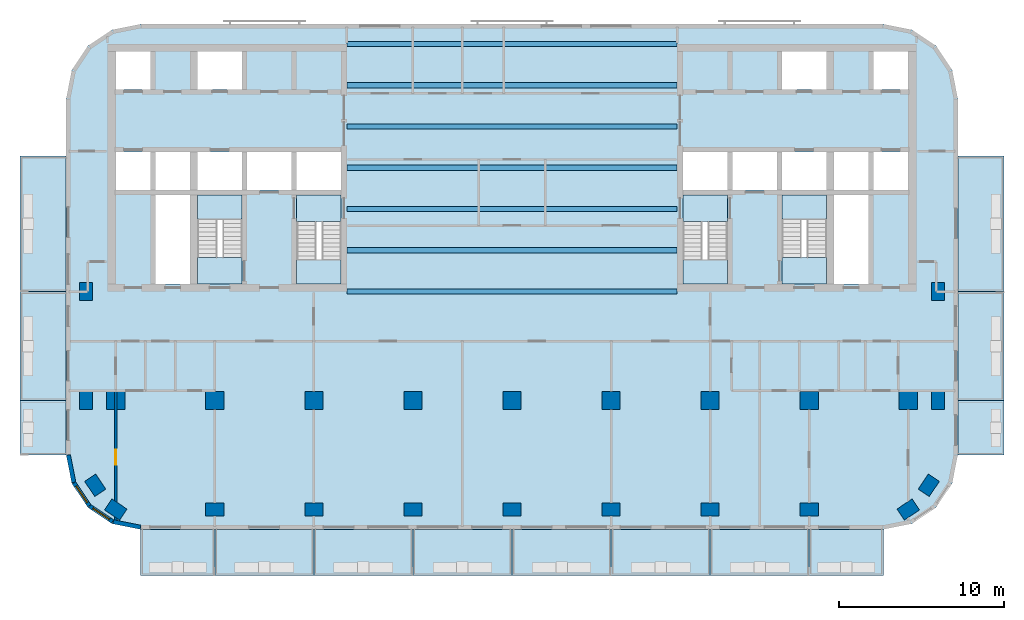
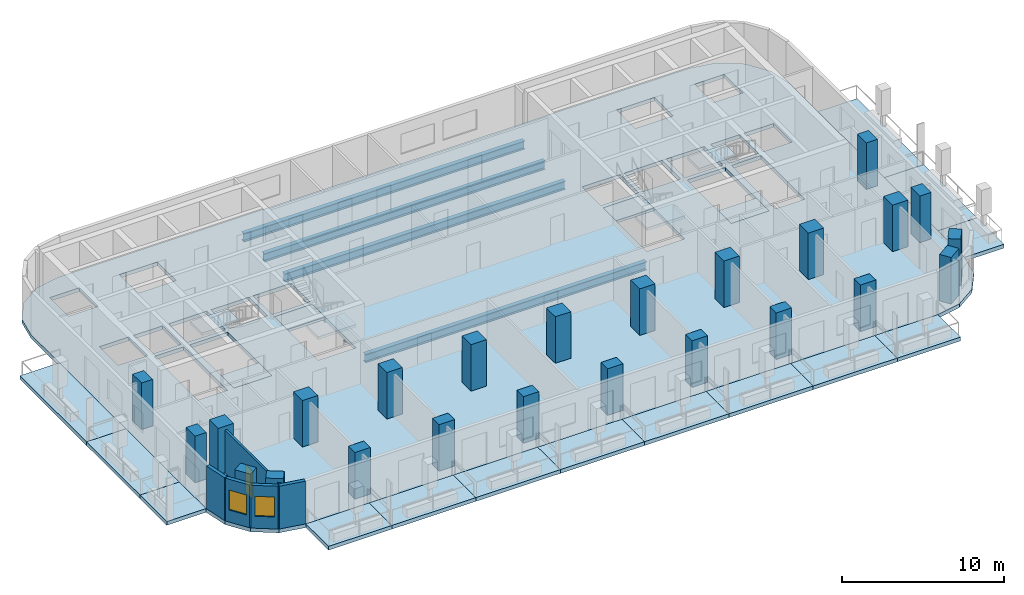
# One storey, part 1 of 11: 24 columns, 23 slabs, 7 beams, 5 walls, 2 windows, 1 door, 3 openings, 4 elements without a shape of their own.
"""IFC4 building model written with IfcOpenShell, lengths in metres."""

from ifc_helpers import new_model, si_unit, direction, frame, frame_2d, origin, origin_2d, place, context, subcontext, project, spatial, polyline, rectangle, i_section, outline, extrude, material, layer, layer_set, material_profile, profile_set, type_object, element, fill, aggregate, save


model = new_model("IFC4")

# Units and contexts
model_context = context("Model", 3, precision=1e-05, world=origin(), true_north=direction((0.0, 1.0)))
body_context = subcontext(model_context, "Body", "Model", "MODEL_VIEW")
ifc_project = project(units=[si_unit("LENGTHUNIT", "METRE"), si_unit("AREAUNIT", "SQUARE_METRE"), si_unit("VOLUMEUNIT", "CUBIC_METRE"), si_unit("PLANEANGLEUNIT", "RADIAN"), si_unit("MASSUNIT", "GRAM", prefix="KILO")], contexts=[model_context])

# Site, building, storey
site_placement = place(None, origin())
site = spatial("IfcSite", under=ifc_project, at=site_placement, CompositionType="ELEMENT")
building_placement = place(site_placement, origin())
building = spatial("IfcBuilding", under=site, at=building_placement, Name="Torana Hotel and Residences", CompositionType="ELEMENT")
storey_placement = place(building_placement, frame((0.0, 0.0, 229.10009765625)))
storey = spatial("IfcBuildingStorey", under=building, at=storey_placement, Name="L60", CompositionType="ELEMENT", Elevation=229.10009765625)

# Columns
ifc_material_1 = material(Name="Concrete C60/75", Category="concrete")
ifc_material_profile_1 = material_profile(ifc_material_1, rectangle(XDim=1.10009765625, YDim=1.10009765625, at=origin_2d()), Name="RC 1100x1100")
ifc_profile_set_1 = profile_set([ifc_material_profile_1], Name="Concrete C60/75")
column_type_1 = type_object("IfcColumnType", Name="COLUMN RC 1100x1100 C60/75", PredefinedType="COLUMN", material=ifc_profile_set_1)
for number, where, z_axis, x_axis, name in (
    (1, (-24.0, -21.60009765625, 0.0), (0.0, 0.0, 1.0), (1.0, 0.0, 0.0), "Column L60"),
    (2, (-18.0, -21.60009765625, 0.0), (0.0, 0.0, 1.0), (1.0, 0.0, 0.0), "Column L60"),
    (3, (-12.0, -21.60009765625, 0.0), (0.0, 0.0, 1.0), (1.0, 0.0, 0.0), "Column L60"),
    (4, (-6.0, -21.60009765625, 0.0), (0.0, 0.0, 1.0), (1.0, 0.0, 0.0), "Column L60"),
    (5, (0.0, -21.60009765625, 0.0), (0.0, 0.0, 1.0), (1.0, 0.0, 0.0), "Column L60"),
    (6, (6.0, -21.60009765625, 0.0), (0.0, 0.0, 1.0), (1.0, 0.0, 0.0), "Column L60"),
    (7, (12.0, -21.60009765625, 0.0), (0.0, 0.0, 1.0), (1.0, 0.0, 0.0), "Column L60"),
    (8, (18.0, -21.60009765625, 0.0), (0.0, 0.0, 1.0), (1.0, 0.0, 0.0), "Column L60"),
    (9, (24.0, -21.60009765625, 0.0), (0.0, 0.0, 1.0), (1.0, 0.0, 0.0), "Column L60"),
):
    element("IfcColumn", number, at=place(storey_placement, frame(where, z_axis=z_axis, x_axis=x_axis)), inside=storey, type_object=column_type_1, Name=name, PredefinedType="COLUMN", context=body_context, shape_type="SweptSolid", body=[
        extrude(rectangle(XDim=1.10009765625, YDim=1.10009765625, at=origin_2d()), origin(), (0.0, 0.0, 1.0), 3.5),
    ])
ifc_material_2 = material(Name="Concrete C60/75", Category="concrete")
ifc_material_profile_2 = material_profile(ifc_material_2, rectangle(XDim=1.10009765625, YDim=0.800048828125, at=origin_2d()), Name="RC 1100x800")
ifc_profile_set_2 = profile_set([ifc_material_profile_2], Name="Concrete C60/75")
column_type_2 = type_object("IfcColumnType", Name="COLUMN RC 1100x800 C60/75", PredefinedType="COLUMN", material=ifc_profile_set_2)
for number, where, z_axis, x_axis, name in (
    (10, (-25.800048828125, -21.60009765625, 0.0), (0.0, 0.0, 1.0), (0.0, 1.0, 0.0), "Column L60"),
    (11, (-25.800048828125, -15.0, 0.0), (0.0, 0.0, 1.0), (0.0, 1.0, 0.0), "Column L60"),
    (12, (-25.243896484375, -26.73291015625, 0.0), (0.0, 0.0, 1.0), (-0.555584744817, 0.831459915646, 0.0), "Column L60"),
    (13, (-24.0, -28.199951171875, 0.0), (0.0, 0.0, 1.0), (-0.831459915646, 0.555584744817, 0.0), "Column L60"),
    (14, (-18.0, -28.199951171875, 0.0), (0.0, 0.0, 1.0), (1.0, 0.0, 0.0), "Column L60"),
    (15, (-12.0, -28.199951171875, 0.0), (0.0, 0.0, 1.0), (1.0, 0.0, 0.0), "Column L60"),
    (16, (-6.0, -28.199951171875, 0.0), (0.0, 0.0, 1.0), (1.0, 0.0, 0.0), "Column L60"),
    (17, (0.0, -28.199951171875, 0.0), (0.0, 0.0, 1.0), (1.0, 0.0, 0.0), "Column L60"),
    (18, (6.0, -28.199951171875, 0.0), (0.0, 0.0, 1.0), (1.0, 0.0, 0.0), "Column L60"),
    (19, (12.0, -28.199951171875, 0.0), (0.0, 0.0, 1.0), (1.0, 0.0, 0.0), "Column L60"),
    (20, (18.0, -28.199951171875, 0.0), (0.0, 0.0, 1.0), (1.0, 0.0, 0.0), "Column L60"),
    (21, (24.0, -28.199951171875, 0.0), (0.0, 0.0, 1.0), (0.831459915646, 0.555584744817, 0.0), "Column L60"),
    (22, (25.243896484375, -26.73291015625, 0.0), (0.0, 0.0, 1.0), (0.555584744817, 0.831459915646, 0.0), "Column L60"),
    (23, (25.800048828125, -21.60009765625, 0.0), (0.0, 0.0, 1.0), (0.0, 1.0, 0.0), "Column L60"),
    (24, (25.800048828125, -15.0, 0.0), (0.0, 0.0, 1.0), (0.0, 1.0, 0.0), "Column L60"),
):
    element("IfcColumn", number, at=place(storey_placement, frame(where, z_axis=z_axis, x_axis=x_axis)), inside=storey, type_object=column_type_2, Name=name, PredefinedType="COLUMN", context=body_context, shape_type="SweptSolid", body=[
        extrude(rectangle(XDim=1.10009765625, YDim=0.800048828125, at=origin_2d()), origin(), (0.0, 0.0, 1.0), 3.5),
    ])

# Beams
ifc_material_3 = material(Name="Steel S355", Category="steel")
ifc_material_profile_3 = material_profile(ifc_material_3, i_section(OverallWidth=0.311279296875, OverallDepth=0.6357421875, WebThickness=0.018310546875, FlangeThickness=0.031494140625, FilletRadius=0.0166015625, at=origin_2d()), Name="610x305x238 UB")
ifc_profile_set_3 = profile_set([ifc_material_profile_3], Name="Steel S355")
beam_type = type_object("IfcBeamType", Name="STEEL GIRDER 610x305x238 UB", PredefinedType="BEAM", material=ifc_profile_set_3)
for number, where, z_axis, x_axis, name in (
    (25, (-10.0, -15.0, -0.597900390625), (1.0, 0.0, 0.0), (0.0, 1.0, 0.0), "Floor girder"),
    (26, (-10.0, -12.5, -0.597900390625), (1.0, 0.0, 0.0), (0.0, 1.0, 0.0), "Floor girder"),
    (27, (-10.0, -10.0, -0.597900390625), (1.0, 0.0, 0.0), (0.0, 1.0, 0.0), "Floor girder"),
    (28, (-10.0, -7.5, -0.597900390625), (1.0, 0.0, 0.0), (0.0, 1.0, 0.0), "Floor girder"),
    (29, (-10.0, -5.0, -0.597900390625), (1.0, 0.0, 0.0), (0.0, 1.0, 0.0), "Floor girder"),
    (30, (-10.0, -2.5, -0.597900390625), (1.0, 0.0, 0.0), (0.0, 1.0, 0.0), "Floor girder"),
    (31, (-10.0, 0.0, -0.597900390625), (1.0, 0.0, 0.0), (0.0, 1.0, 0.0), "Floor girder"),
):
    element("IfcBeam", number, at=place(storey_placement, frame(where, z_axis=z_axis, x_axis=x_axis)), inside=storey, type_object=beam_type, Name=name, PredefinedType="BEAM", context=body_context, shape_type="SweptSolid", body=[
        extrude(i_section(OverallWidth=0.311279296875, OverallDepth=0.6357421875, WebThickness=0.018310546875, FlangeThickness=0.031494140625, FilletRadius=0.0166015625, at=origin_2d()), origin(), (0.0, 0.0, 1.0), 20.0),
    ])

# Slabs
ifc_material_4 = material(Name="Concrete C40/50", Category="concrete")
ifc_layer_1 = layer(ifc_material_4, 0.280029296875)
ifc_layer_set_1 = layer_set([ifc_layer_1], Name="BAL1 BALCONY SLAB 280")
slab_type_1 = type_object("IfcSlabType", Name="BAL1 BALCONY SLAB 280", PredefinedType="USERDEFINED", material=ifc_layer_set_1)
slab_1_placement = place(storey_placement, frame((0.0, 0.0, -0.280029296875)))
element("IfcSlab", 32, at=slab_1_placement, inside=storey, type_object=slab_type_1, Name="Balcony 01", ObjectType="BALCONY", PredefinedType="USERDEFINED", context=body_context, shape_type="SweptSolid", body=[
    extrude(outline(polyline([(-22.5, -32.199951171875), (-18.0, -32.199951171875), (-18.0, -29.39990234375), (-22.5, -29.39990234375), (-22.5, -32.199951171875)])), origin(), (0.0, 0.0, 1.0), 0.280029296875),
])
slab_2_placement = place(storey_placement, frame((0.0, 0.0, -0.280029296875)))
element("IfcSlab", 33, at=slab_2_placement, inside=storey, type_object=slab_type_1, Name="Balcony 02", ObjectType="BALCONY", PredefinedType="USERDEFINED", context=body_context, shape_type="SweptSolid", body=[
    extrude(outline(polyline([(-18.0, -32.199951171875), (-12.0, -32.199951171875), (-12.0, -29.39990234375), (-18.0, -29.39990234375), (-18.0, -32.199951171875)])), origin(), (0.0, 0.0, 1.0), 0.280029296875),
])
slab_3_placement = place(storey_placement, frame((0.0, 0.0, -0.280029296875)))
element("IfcSlab", 34, at=slab_3_placement, inside=storey, type_object=slab_type_1, Name="Balcony 03", ObjectType="BALCONY", PredefinedType="USERDEFINED", context=body_context, shape_type="SweptSolid", body=[
    extrude(outline(polyline([(-12.0, -32.199951171875), (-6.0, -32.199951171875), (-6.0, -29.39990234375), (-12.0, -29.39990234375), (-12.0, -32.199951171875)])), origin(), (0.0, 0.0, 1.0), 0.280029296875),
])
slab_4_placement = place(storey_placement, frame((0.0, 0.0, -0.280029296875)))
element("IfcSlab", 35, at=slab_4_placement, inside=storey, type_object=slab_type_1, Name="Balcony 04", ObjectType="BALCONY", PredefinedType="USERDEFINED", context=body_context, shape_type="SweptSolid", body=[
    extrude(outline(polyline([(-6.0, -32.199951171875), (0.0, -32.199951171875), (0.0, -29.39990234375), (-6.0, -29.39990234375), (-6.0, -32.199951171875)])), origin(), (0.0, 0.0, 1.0), 0.280029296875),
])
slab_5_placement = place(storey_placement, frame((0.0, 0.0, -0.280029296875)))
element("IfcSlab", 36, at=slab_5_placement, inside=storey, type_object=slab_type_1, Name="Balcony 05", ObjectType="BALCONY", PredefinedType="USERDEFINED", context=body_context, shape_type="SweptSolid", body=[
    extrude(outline(polyline([(0.0, -32.199951171875), (6.0, -32.199951171875), (6.0, -29.39990234375), (0.0, -29.39990234375), (0.0, -32.199951171875)])), origin(), (0.0, 0.0, 1.0), 0.280029296875),
])
slab_6_placement = place(storey_placement, frame((0.0, 0.0, -0.280029296875)))
element("IfcSlab", 37, at=slab_6_placement, inside=storey, type_object=slab_type_1, Name="Balcony 06", ObjectType="BALCONY", PredefinedType="USERDEFINED", context=body_context, shape_type="SweptSolid", body=[
    extrude(outline(polyline([(6.0, -32.199951171875), (12.0, -32.199951171875), (12.0, -29.39990234375), (6.0, -29.39990234375), (6.0, -32.199951171875)])), origin(), (0.0, 0.0, 1.0), 0.280029296875),
])
slab_7_placement = place(storey_placement, frame((0.0, 0.0, -0.280029296875)))
element("IfcSlab", 38, at=slab_7_placement, inside=storey, type_object=slab_type_1, Name="Balcony 07", ObjectType="BALCONY", PredefinedType="USERDEFINED", context=body_context, shape_type="SweptSolid", body=[
    extrude(outline(polyline([(12.0, -32.199951171875), (18.0, -32.199951171875), (18.0, -29.39990234375), (12.0, -29.39990234375), (12.0, -32.199951171875)])), origin(), (0.0, 0.0, 1.0), 0.280029296875),
])
slab_8_placement = place(storey_placement, frame((0.0, 0.0, -0.280029296875)))
element("IfcSlab", 39, at=slab_8_placement, inside=storey, type_object=slab_type_1, Name="Balcony 08", ObjectType="BALCONY", PredefinedType="USERDEFINED", context=body_context, shape_type="SweptSolid", body=[
    extrude(outline(polyline([(18.0, -32.199951171875), (22.5, -32.199951171875), (22.5, -29.39990234375), (18.0, -29.39990234375), (18.0, -32.199951171875)])), origin(), (0.0, 0.0, 1.0), 0.280029296875),
])
slab_9_placement = place(storey_placement, frame((0.0, 0.0, -0.280029296875)))
element("IfcSlab", 40, at=slab_9_placement, inside=storey, type_object=slab_type_1, Name="Balcony 09", ObjectType="BALCONY", PredefinedType="USERDEFINED", context=body_context, shape_type="SweptSolid", body=[
    extrude(outline(polyline([(-29.800048828125, -24.89990234375), (-27.0, -24.89990234375), (-27.0, -21.60009765625), (-29.800048828125, -21.60009765625), (-29.800048828125, -24.89990234375)])), origin(), (0.0, 0.0, 1.0), 0.280029296875),
])
slab_10_placement = place(storey_placement, frame((0.0, 0.0, -0.280029296875)))
element("IfcSlab", 41, at=slab_10_placement, inside=storey, type_object=slab_type_1, Name="Balcony 10", ObjectType="BALCONY", PredefinedType="USERDEFINED", context=body_context, shape_type="SweptSolid", body=[
    extrude(outline(polyline([(-29.800048828125, -21.60009765625), (-27.0, -21.60009765625), (-27.0, -15.0), (-29.800048828125, -15.0), (-29.800048828125, -21.60009765625)])), origin(), (0.0, 0.0, 1.0), 0.280029296875),
])
slab_11_placement = place(storey_placement, frame((0.0, 0.0, -0.280029296875)))
element("IfcSlab", 42, at=slab_11_placement, inside=storey, type_object=slab_type_1, Name="Balcony 11", ObjectType="BALCONY", PredefinedType="USERDEFINED", context=body_context, shape_type="SweptSolid", body=[
    extrude(outline(polyline([(-29.800048828125, -15.0), (-27.0, -15.0), (-27.0, -6.800048828125), (-29.800048828125, -6.800048828125), (-29.800048828125, -15.0)])), origin(), (0.0, 0.0, 1.0), 0.280029296875),
])
slab_12_placement = place(storey_placement, frame((0.0, 0.0, -0.280029296875)))
element("IfcSlab", 43, at=slab_12_placement, inside=storey, type_object=slab_type_1, Name="Balcony 12", ObjectType="BALCONY", PredefinedType="USERDEFINED", context=body_context, shape_type="SweptSolid", body=[
    extrude(outline(polyline([(27.0, -24.89990234375), (29.800048828125, -24.89990234375), (29.800048828125, -21.60009765625), (27.0, -21.60009765625), (27.0, -24.89990234375)])), origin(), (0.0, 0.0, 1.0), 0.280029296875),
])
slab_13_placement = place(storey_placement, frame((0.0, 0.0, -0.280029296875)))
element("IfcSlab", 44, at=slab_13_placement, inside=storey, type_object=slab_type_1, Name="Balcony 13", ObjectType="BALCONY", PredefinedType="USERDEFINED", context=body_context, shape_type="SweptSolid", body=[
    extrude(outline(polyline([(27.0, -21.60009765625), (29.800048828125, -21.60009765625), (29.800048828125, -15.0), (27.0, -15.0), (27.0, -21.60009765625)])), origin(), (0.0, 0.0, 1.0), 0.280029296875),
])
slab_14_placement = place(storey_placement, frame((0.0, 0.0, -0.280029296875)))
element("IfcSlab", 45, at=slab_14_placement, inside=storey, type_object=slab_type_1, Name="Balcony 14", ObjectType="BALCONY", PredefinedType="USERDEFINED", context=body_context, shape_type="SweptSolid", body=[
    extrude(outline(polyline([(27.0, -15.0), (29.800048828125, -15.0), (29.800048828125, -6.800048828125), (27.0, -6.800048828125), (27.0, -15.0)])), origin(), (0.0, 0.0, 1.0), 0.280029296875),
])
ifc_material_5 = material(Name="Concrete C40/50", Category="concrete")
ifc_layer_2 = layer(ifc_material_5, 0.280029296875)
ifc_layer_set_2 = layer_set([ifc_layer_2], Name="FLOOR SLAB PT 280")
slab_type_2 = type_object("IfcSlabType", Name="FLOOR SLAB PT 280", PredefinedType="FLOOR", material=ifc_layer_set_2)
slab_15_placement = place(storey_placement, frame((0.0, 0.0, -0.280029296875)))
element("IfcSlab", 46, at=slab_15_placement, inside=storey, type_object=slab_type_2, Name="Floor slab", PredefinedType="FLOOR", context=body_context, shape_type="SweptSolid", body=[
    extrude(outline(polyline([(27.0, -3.300048828125), (26.657470703125, -1.577880859375), (25.681884765625, -0.117919921875), (24.22216796875, 0.857421875), (22.5, 1.199951171875), (-22.5, 1.199951171875), (-24.22216796875, 0.857421875), (-25.681884765625, -0.117919921875), (-26.657470703125, -1.577880859375), (-27.0, -3.300048828125), (-27.0, -24.89990234375), (-26.657470703125, -26.6220703125), (-25.681884765625, -28.08203125), (-24.22216796875, -29.0576171875), (-22.5, -29.39990234375), (22.5, -29.39990234375), (24.22216796875, -29.0576171875), (25.681884765625, -28.08203125), (26.657470703125, -26.6220703125), (27.0, -24.89990234375), (27.0, -3.300048828125)]), holes=[polyline([(-13.050048828125, -14.550048828125), (-10.35009765625, -14.550048828125), (-10.35009765625, -9.14990234375), (-13.050048828125, -9.14990234375), (-13.050048828125, -14.550048828125)]), polyline([(-19.050048828125, -14.550048828125), (-16.35009765625, -14.550048828125), (-16.35009765625, -9.14990234375), (-19.050048828125, -9.14990234375), (-19.050048828125, -14.550048828125)]), polyline([(-19.050048828125, -2.75), (-16.35009765625, -2.75), (-16.35009765625, -0.449951171875), (-19.050048828125, -0.449951171875), (-19.050048828125, -2.75)]), polyline([(-21.60009765625, -8.85009765625), (-19.5, -8.85009765625), (-19.5, -6.550048828125), (-21.60009765625, -6.550048828125), (-21.60009765625, -8.85009765625)]), polyline([(-24.0, -2.75), (-21.89990234375, -2.75), (-21.89990234375, -0.449951171875), (-24.0, -0.449951171875), (-24.0, -2.75)]), polyline([(-24.0, -8.85009765625), (-21.89990234375, -8.85009765625), (-21.89990234375, -6.550048828125), (-24.0, -6.550048828125), (-24.0, -8.85009765625)]), polyline([(-13.050048828125, -8.85009765625), (-10.35009765625, -8.85009765625), (-10.35009765625, -6.550048828125), (-13.050048828125, -6.550048828125), (-13.050048828125, -8.85009765625)]), polyline([(-16.050048828125, -8.85009765625), (-13.35009765625, -8.85009765625), (-13.35009765625, -6.550048828125), (-16.050048828125, -6.550048828125), (-16.050048828125, -8.85009765625)]), polyline([(-19.050048828125, -8.85009765625), (-16.35009765625, -8.85009765625), (-16.35009765625, -6.550048828125), (-19.050048828125, -6.550048828125), (-19.050048828125, -8.85009765625)]), polyline([(-21.60009765625, -14.550048828125), (-19.5, -14.550048828125), (-19.5, -9.14990234375), (-21.60009765625, -9.14990234375), (-21.60009765625, -14.550048828125)]), polyline([(10.35009765625, -14.550048828125), (13.050048828125, -14.550048828125), (13.050048828125, -9.14990234375), (10.35009765625, -9.14990234375), (10.35009765625, -14.550048828125)]), polyline([(16.35009765625, -14.550048828125), (19.050048828125, -14.550048828125), (19.050048828125, -9.14990234375), (16.35009765625, -9.14990234375), (16.35009765625, -14.550048828125)]), polyline([(16.35009765625, -2.75), (19.050048828125, -2.75), (19.050048828125, -0.449951171875), (16.35009765625, -0.449951171875), (16.35009765625, -2.75)]), polyline([(19.5, -8.85009765625), (21.60009765625, -8.85009765625), (21.60009765625, -6.550048828125), (19.5, -6.550048828125), (19.5, -8.85009765625)]), polyline([(21.89990234375, -2.75), (24.0, -2.75), (24.0, -0.449951171875), (21.89990234375, -0.449951171875), (21.89990234375, -2.75)]), polyline([(21.89990234375, -8.85009765625), (24.0, -8.85009765625), (24.0, -6.550048828125), (21.89990234375, -6.550048828125), (21.89990234375, -8.85009765625)]), polyline([(10.35009765625, -8.85009765625), (13.050048828125, -8.85009765625), (13.050048828125, -6.550048828125), (10.35009765625, -6.550048828125), (10.35009765625, -8.85009765625)]), polyline([(13.35009765625, -8.85009765625), (16.050048828125, -8.85009765625), (16.050048828125, -6.550048828125), (13.35009765625, -6.550048828125), (13.35009765625, -8.85009765625)]), polyline([(16.35009765625, -8.85009765625), (19.050048828125, -8.85009765625), (19.050048828125, -6.550048828125), (16.35009765625, -6.550048828125), (16.35009765625, -8.85009765625)]), polyline([(19.5, -14.550048828125), (21.60009765625, -14.550048828125), (21.60009765625, -9.14990234375), (19.5, -9.14990234375), (19.5, -14.550048828125)])]), origin(), (0.0, 0.0, 1.0), 0.280029296875),
])

# Stair, slabs
ifc_material_6 = material(Name="Concrete C40/50 precast", Category="concrete")
stair_type_1 = type_object("IfcStairType", Name="STAIR ST1 HALF TURN 1200", PredefinedType="HALF_TURN_STAIR", material=ifc_material_6)
stair_1_placement = place(storey_placement, origin())
stair_1 = element("IfcStair", 47, at=stair_1_placement, inside=storey, type_object=stair_type_1, Name="Stair ST1 L60", PredefinedType="HALF_TURN_STAIR")
ifc_material_7 = material(Name="Concrete C40/50 precast", Category="concrete")
ifc_layer_3 = layer(ifc_material_7, 0.199951171875)
ifc_layer_set_3 = layer_set([ifc_layer_3], Name="STAIR LANDING 200")
slab_type_3 = type_object("IfcSlabType", Name="STAIR LANDING 200", PredefinedType="LANDING", material=ifc_layer_set_3)
slab_16_placement = place(storey_placement, frame((0.0, 0.0, 1.5498046875)))
slab_16 = element("IfcSlab", 48, at=slab_16_placement, type_object=slab_type_3, Name="ST1 landing 1", PredefinedType="LANDING", context=body_context, shape_type="SweptSolid", body=[
    extrude(outline(polyline([(-13.050048828125, -14.550048828125), (-10.35009765625, -14.550048828125), (-10.35009765625, -13.090087890625), (-13.050048828125, -13.090087890625), (-13.050048828125, -14.550048828125)])), origin(), (0.0, 0.0, 1.0), 0.2001953125),
])
slab_17_placement = place(storey_placement, frame((0.0, 0.0, -0.2001953125)))
slab_17 = element("IfcSlab", 49, at=slab_17_placement, type_object=slab_type_3, Name="ST1 landing 2", PredefinedType="LANDING", context=body_context, shape_type="SweptSolid", body=[
    extrude(outline(polyline([(-13.050048828125, -10.75), (-10.35009765625, -10.75), (-10.35009765625, -9.14990234375), (-13.050048828125, -9.14990234375), (-13.050048828125, -10.75)])), origin(), (0.0, 0.0, 1.0), 0.2001953125),
])
aggregate(stair_1, [slab_16, slab_17])

ifc_material_8 = material(Name="Concrete C40/50 precast", Category="concrete")
stair_type_2 = type_object("IfcStairType", Name="STAIR ST2 HALF TURN 1200", PredefinedType="HALF_TURN_STAIR", material=ifc_material_8)
stair_2_placement = place(storey_placement, origin())
stair_2 = element("IfcStair", 50, at=stair_2_placement, inside=storey, type_object=stair_type_2, Name="Stair ST2 L60", PredefinedType="HALF_TURN_STAIR")
slab_18_placement = place(storey_placement, frame((0.0, 0.0, 1.5498046875)))
slab_18 = element("IfcSlab", 51, at=slab_18_placement, type_object=slab_type_3, Name="ST2 landing 1", PredefinedType="LANDING", context=body_context, shape_type="SweptSolid", body=[
    extrude(outline(polyline([(-19.050048828125, -10.610107421875), (-16.35009765625, -10.610107421875), (-16.35009765625, -9.14990234375), (-19.050048828125, -9.14990234375), (-19.050048828125, -10.610107421875)])), origin(), (0.0, 0.0, 1.0), 0.2001953125),
])
slab_19_placement = place(storey_placement, frame((0.0, 0.0, -0.2001953125)))
slab_19 = element("IfcSlab", 52, at=slab_19_placement, type_object=slab_type_3, Name="ST2 landing 2", PredefinedType="LANDING", context=body_context, shape_type="SweptSolid", body=[
    extrude(outline(polyline([(-19.050048828125, -14.550048828125), (-16.35009765625, -14.550048828125), (-16.35009765625, -12.949951171875), (-19.050048828125, -12.949951171875), (-19.050048828125, -14.550048828125)])), origin(), (0.0, 0.0, 1.0), 0.2001953125),
])
aggregate(stair_2, [slab_18, slab_19])

ifc_material_9 = material(Name="Concrete C40/50 precast", Category="concrete")
stair_type_3 = type_object("IfcStairType", Name="STAIR ST3 HALF TURN 1200", PredefinedType="HALF_TURN_STAIR", material=ifc_material_9)
stair_3_placement = place(storey_placement, origin())
stair_3 = element("IfcStair", 53, at=stair_3_placement, inside=storey, type_object=stair_type_3, Name="Stair ST3 L60", PredefinedType="HALF_TURN_STAIR")
slab_20_placement = place(storey_placement, frame((0.0, 0.0, 1.5498046875)))
slab_20 = element("IfcSlab", 54, at=slab_20_placement, type_object=slab_type_3, Name="ST3 landing 1", PredefinedType="LANDING", context=body_context, shape_type="SweptSolid", body=[
    extrude(outline(polyline([(10.35009765625, -14.550048828125), (13.050048828125, -14.550048828125), (13.050048828125, -13.090087890625), (10.35009765625, -13.090087890625), (10.35009765625, -14.550048828125)])), origin(), (0.0, 0.0, 1.0), 0.2001953125),
])
slab_21_placement = place(storey_placement, frame((0.0, 0.0, -0.2001953125)))
slab_21 = element("IfcSlab", 55, at=slab_21_placement, type_object=slab_type_3, Name="ST3 landing 2", PredefinedType="LANDING", context=body_context, shape_type="SweptSolid", body=[
    extrude(outline(polyline([(10.35009765625, -10.75), (13.050048828125, -10.75), (13.050048828125, -9.14990234375), (10.35009765625, -9.14990234375), (10.35009765625, -10.75)])), origin(), (0.0, 0.0, 1.0), 0.2001953125),
])
aggregate(stair_3, [slab_20, slab_21])

ifc_material_10 = material(Name="Concrete C40/50 precast", Category="concrete")
stair_type_4 = type_object("IfcStairType", Name="STAIR ST4 HALF TURN 1200", PredefinedType="HALF_TURN_STAIR", material=ifc_material_10)
stair_4_placement = place(storey_placement, origin())
stair_4 = element("IfcStair", 56, at=stair_4_placement, inside=storey, type_object=stair_type_4, Name="Stair ST4 L60", PredefinedType="HALF_TURN_STAIR")
slab_22_placement = place(storey_placement, frame((0.0, 0.0, 1.5498046875)))
slab_22 = element("IfcSlab", 57, at=slab_22_placement, type_object=slab_type_3, Name="ST4 landing 1", PredefinedType="LANDING", context=body_context, shape_type="SweptSolid", body=[
    extrude(outline(polyline([(16.35009765625, -10.610107421875), (19.050048828125, -10.610107421875), (19.050048828125, -9.14990234375), (16.35009765625, -9.14990234375), (16.35009765625, -10.610107421875)])), origin(), (0.0, 0.0, 1.0), 0.2001953125),
])
slab_23_placement = place(storey_placement, frame((0.0, 0.0, -0.2001953125)))
slab_23 = element("IfcSlab", 58, at=slab_23_placement, type_object=slab_type_3, Name="ST4 landing 2", PredefinedType="LANDING", context=body_context, shape_type="SweptSolid", body=[
    extrude(outline(polyline([(16.35009765625, -14.550048828125), (19.050048828125, -14.550048828125), (19.050048828125, -12.949951171875), (16.35009765625, -12.949951171875), (16.35009765625, -14.550048828125)])), origin(), (0.0, 0.0, 1.0), 0.2001953125),
])
aggregate(stair_4, [slab_22, slab_23])

# Wall
ifc_material_11 = material(Name="Black aluminium composite panel", Category="aluminium")
ifc_layer_4 = layer(ifc_material_11, 0.00390625, Name="Cladding", Category="cladding")
ifc_material_12 = material(Name="Ventilated air cavity")
ifc_layer_5 = layer(ifc_material_12, 0.0400390625, Name="Ventilated cavity", Category="cavity")
ifc_material_13 = material(Name="Mineral wool insulation")
ifc_layer_6 = layer(ifc_material_13, 0.090087890625, Name="Insulation", Category="insulation")
ifc_material_14 = material(Name="Steel S280GD", Category="steel")
ifc_layer_7 = layer(ifc_material_14, 0.092041015625, Name="Steel stud frame", Category="structure")
ifc_material_15 = material(Name="Fire rated plasterboard")
ifc_layer_8 = layer(ifc_material_15, 0.011962890625, Name="Inner board", Category="finish")
ifc_layer_9 = layer(ifc_material_15, 0.011962890625, Name="Second board", Category="finish")
ifc_layer_set_4 = layer_set([ifc_layer_4, ifc_layer_5, ifc_layer_6, ifc_layer_7, ifc_layer_8, ifc_layer_9], Name="EW1 EXTERNAL WALL BLACK METAL CLAD 250")
wall_type_1 = type_object("IfcWallType", Name="EW1 EXTERNAL WALL BLACK METAL CLAD 250", PredefinedType="SOLIDWALL", material=ifc_layer_set_4)
wall_1_placement = place(storey_placement, frame((-26.87255859375, -24.89990234375, 0.0), z_axis=(0.0, 0.0, 1.0), x_axis=(0.195026884138, -0.980797896849, 0.0)))
element("IfcWall", 59, at=wall_1_placement, inside=storey, type_object=wall_type_1, Name="External wall L60 e0.10", PredefinedType="SOLIDWALL", context=body_context, shape_type="SweptSolid", body=[
    extrude(rectangle(XDim=1.68115234375, YDim=0.25, at=frame_2d((0.840576171875, 0.0))), origin(), (0.0, 0.0, 1.0), 3.219970703125),
])

# Wall, opening, window
wall_2_placement = place(storey_placement, frame((-26.52587890625, -26.593994140625, 0.0), z_axis=(0.0, 0.0, 1.0), x_axis=(0.55555029066, -0.831482937015, 0.0)))
wall_2 = element("IfcWall", 60, at=wall_2_placement, inside=storey, type_object=wall_type_1, Name="External wall L60 e0.11", PredefinedType="SOLIDWALL", context=body_context, shape_type="SweptSolid", body=[
    extrude(rectangle(XDim=1.65625, YDim=0.25, at=frame_2d((0.828125, 0.0))), origin(), (0.0, 0.0, 1.0), 3.219970703125),
])
opening_1_placement = place(wall_2_placement, frame((0.228271484375, 0.0, 0.89990234375)))
opening_1 = element("IfcOpeningElement", 61, at=opening_1_placement, cuts=wall_2, Name="Opening W5", PredefinedType="OPENING", context=body_context, shape_type="SweptSolid", body=[
    extrude(rectangle(XDim=1.199951171875, YDim=1.5, at=frame_2d((0.60009765625, 0.75))), frame((0.0, 0.135009765625, 0.0), z_axis=(0.0, -1.0, 0.0), x_axis=(1.0, 0.0, 0.0)), (0.0, 0.0, 1.0), 0.27001953125),
])
ifc_material_16 = material(Name="Dark glass in black aluminium frame", Category="aluminium")
window_type = type_object("IfcWindowType", Name="W5 CORNER FACET WINDOW 1200x1500", PartitioningType="SINGLE_PANEL", PredefinedType="WINDOW", material=ifc_material_16)
window_1_placement = place(opening_1_placement, origin())
window_1 = element("IfcWindow", 62, at=window_1_placement, inside=storey, type_object=window_type, Name="Window L60 e0.11", OverallHeight=1.5, OverallWidth=1.199951171875, PartitioningType="SINGLE_PANEL", PredefinedType="WINDOW", context=body_context, shape_type="SweptSolid", body=[
    extrude(rectangle(XDim=1.199951171875, YDim=1.5, at=frame_2d((0.60009765625, 0.75))), frame((0.0, 0.030029296875, 0.0), z_axis=(0.0, -1.0, 0.0), x_axis=(1.0, 0.0, 0.0)), (0.0, 0.0, 1.0), 0.06005859375),
])
fill(opening_1, window_1)

wall_3_placement = place(storey_placement, frame((-25.5712890625, -28.005615234375, 0.0), z_axis=(0.0, 0.0, 1.0), x_axis=(0.831482937015, -0.55555029066, 0.0)))
wall_3 = element("IfcWall", 63, at=wall_3_placement, inside=storey, type_object=wall_type_1, Name="External wall L60 e0.12", PredefinedType="SOLIDWALL", context=body_context, shape_type="SweptSolid", body=[
    extrude(rectangle(XDim=1.65625, YDim=0.25, at=frame_2d((0.828125, 0.0))), origin(), (0.0, 0.0, 1.0), 3.219970703125),
])
opening_2_placement = place(wall_3_placement, frame((0.228271484375, 0.0, 0.89990234375)))
opening_2 = element("IfcOpeningElement", 64, at=opening_2_placement, cuts=wall_3, Name="Opening W5", PredefinedType="OPENING", context=body_context, shape_type="SweptSolid", body=[
    extrude(rectangle(XDim=1.199951171875, YDim=1.5, at=frame_2d((0.60009765625, 0.75))), frame((0.0, 0.135009765625, 0.0), z_axis=(0.0, -1.0, 0.0), x_axis=(1.0, 0.0, 0.0)), (0.0, 0.0, 1.0), 0.27001953125),
])
window_2_placement = place(opening_2_placement, origin())
window_2 = element("IfcWindow", 65, at=window_2_placement, inside=storey, type_object=window_type, Name="Window L60 e0.12", OverallHeight=1.5, OverallWidth=1.199951171875, PartitioningType="SINGLE_PANEL", PredefinedType="WINDOW", context=body_context, shape_type="SweptSolid", body=[
    extrude(rectangle(XDim=1.199951171875, YDim=1.5, at=frame_2d((0.60009765625, 0.75))), frame((0.0, 0.030029296875, 0.0), z_axis=(0.0, -1.0, 0.0), x_axis=(1.0, 0.0, 0.0)), (0.0, 0.0, 1.0), 0.06005859375),
])
fill(opening_2, window_2)

# Wall
wall_4_placement = place(storey_placement, frame((-24.14892578125, -28.944580078125, 0.0), z_axis=(0.0, 0.0, 1.0), x_axis=(0.980775640221, -0.19513878023, 0.0)))
element("IfcWall", 66, at=wall_4_placement, inside=storey, type_object=wall_type_1, Name="External wall L60 e0.13", PredefinedType="SOLIDWALL", context=body_context, shape_type="SweptSolid", body=[
    extrude(rectangle(XDim=1.681396484375, YDim=0.25, at=frame_2d((0.8408203125, 0.0))), origin(), (0.0, 0.0, 1.0), 3.219970703125),
])

# Wall, opening, door
ifc_material_17 = material(Name="Gypsum plasterboard")
ifc_layer_10 = layer(ifc_material_17, 0.012451171875, Name="Plasterboard", Category="finish")
ifc_layer_11 = layer(ifc_material_17, 0.012451171875, Name="Plasterboard", Category="finish")
ifc_layer_12 = layer(ifc_material_14, 0.10009765625, Name="Steel studs with mineral wool", Category="insulation")
ifc_layer_13 = layer(ifc_material_17, 0.012451171875, Name="Plasterboard", Category="finish")
ifc_layer_14 = layer(ifc_material_17, 0.012451171875, Name="Plasterboard", Category="finish")
ifc_layer_set_5 = layer_set([ifc_layer_10, ifc_layer_11, ifc_layer_12, ifc_layer_13, ifc_layer_14], Name="PARTITION 150 PLASTERBOARD")
wall_type_2 = type_object("IfcWallType", Name="PARTITION 150 PLASTERBOARD", PredefinedType="PARTITIONING", material=ifc_layer_set_5)
wall_5_placement = place(storey_placement, frame((-24.0, -28.918212890625, 0.0), z_axis=(0.0, 0.0, 1.0), x_axis=(0.0, 1.0, 0.0)))
wall_5 = element("IfcWall", 67, at=wall_5_placement, inside=storey, type_object=wall_type_2, Name="Partition L60", PredefinedType="PARTITIONING", context=body_context, shape_type="SweptSolid", body=[
    extrude(rectangle(XDim=7.918212890625, YDim=0.14990234375, at=frame_2d((3.958984375, 0.0))), origin(), (0.0, 0.0, 1.0), 3.219970703125),
])
opening_3_placement = place(wall_5_placement, frame((3.43603515625, 0.0, 0.0)))
opening_3 = element("IfcOpeningElement", 68, at=opening_3_placement, cuts=wall_5, Name="Opening L60-52", PredefinedType="OPENING", context=body_context, shape_type="SweptSolid", body=[
    extrude(rectangle(XDim=0.89990234375, YDim=2.10009765625, at=frame_2d((0.449951171875, 1.050048828125))), frame((0.0, 0.0849609375, 0.0), z_axis=(0.0, -1.0, 0.0), x_axis=(1.0, 0.0, 0.0)), (0.0, 0.0, 1.0), 0.169921875),
])
ifc_material_18 = material(Name="Timber door, oiled ash", Category="wood")
door_type = type_object("IfcDoorType", Name="ROOM DOOR D7 900x2100", OperationType="SINGLE_SWING_LEFT", PredefinedType="DOOR", material=ifc_material_18)
door_placement = place(opening_3_placement, origin())
door = element("IfcDoor", 69, at=door_placement, inside=storey, type_object=door_type, Name="Door L60", OperationType="SINGLE_SWING_RIGHT", OverallHeight=2.10009765625, OverallWidth=0.89990234375, PredefinedType="DOOR", context=body_context, shape_type="SweptSolid", body=[
    extrude(rectangle(XDim=0.89990234375, YDim=2.10009765625, at=frame_2d((0.449951171875, 1.050048828125))), frame((0.0, 0.02490234375, 0.0), z_axis=(0.0, -1.0, 0.0), x_axis=(1.0, 0.0, 0.0)), (0.0, 0.0, 1.0), 0.050048828125),
])
fill(opening_3, door)

save(model, "model.ifc")
